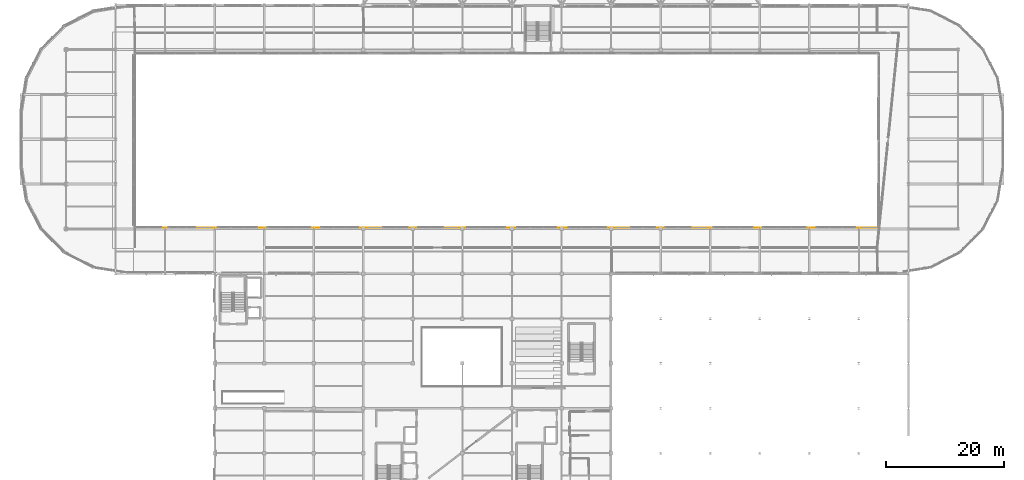
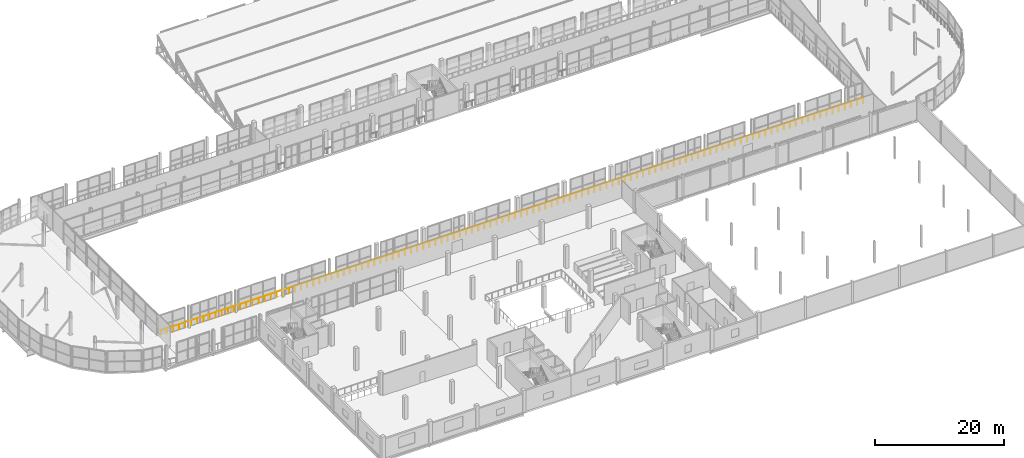
# One storey, part 211 of 217: 1 railing.
"""IFC4 building model written with IfcOpenShell, lengths in metres."""

from ifc_helpers import new_model, si_unit, direction, frame, origin, origin_2d, place, context, subcontext, project, spatial, circle, extrude, material, type_object, element, save


model = new_model("IFC4")

# Units and contexts
model_context = context("Model", 3, precision=1e-05, world=origin(), true_north=direction((0.0, 1.0)))
body_context = subcontext(model_context, "Body", "Model", "MODEL_VIEW")
ifc_project = project(units=[si_unit("LENGTHUNIT", "METRE"), si_unit("AREAUNIT", "SQUARE_METRE"), si_unit("VOLUMEUNIT", "CUBIC_METRE"), si_unit("PLANEANGLEUNIT", "RADIAN"), si_unit("MASSUNIT", "GRAM", prefix="KILO")], contexts=[model_context])

# Site, building, storey
site_placement = place(None, origin())
site = spatial("IfcSite", under=ifc_project, at=site_placement, CompositionType="ELEMENT")
building_placement = place(site_placement, origin())
building = spatial("IfcBuilding", under=site, at=building_placement, Name="Zuvorla Pavilion Media Centre", CompositionType="ELEMENT")
storey_placement = place(building_placement, frame((0.0, 0.0, 9.60009765625)))
storey = spatial("IfcBuildingStorey", under=building, at=storey_placement, Name="L02", CompositionType="ELEMENT", Elevation=9.60009765625)

# Railing
ifc_material = material(Name="Powder-coated steel balustrade guard", Category="steel")
railing_type = type_object("IfcRailingType", Name="RL-INT-GRD", PredefinedType="BALUSTRADE", material=ifc_material)
railing_placement = place(storey_placement, frame((28.278564453125, 51.780029296875, 0.0)))
element("IfcRailing", 1, at=railing_placement, inside=storey, type_object=railing_type, Name="L02 slab edge guard 83", PredefinedType="BALUSTRADE", context=body_context, shape_type="SweptSolid", body=[
    extrude(circle(Radius=0.02392578125, at=origin_2d()), frame((0.02880859375, 0.0, 1.09619140625), z_axis=(1.0, 0.0, 0.0), x_axis=(0.0, 1.0, 0.0)), (0.0, 0.0, 1.0), 125.72021484375),
    extrude(circle(Radius=0.02099609375, at=origin_2d()), origin(), (0.0, 0.0, 1.0), 1.070068359375),
    extrude(circle(Radius=0.02099609375, at=origin_2d()), frame((1.09375, 0.0, 0.0)), (0.0, 0.0, 1.0), 1.070068359375),
    extrude(circle(Radius=0.02099609375, at=origin_2d()), frame((2.1875, 0.0, 0.0)), (0.0, 0.0, 1.0), 1.070068359375),
    extrude(circle(Radius=0.02099609375, at=origin_2d()), frame((3.28125, 0.0, 0.0)), (0.0, 0.0, 1.0), 1.070068359375),
    extrude(circle(Radius=0.02099609375, at=origin_2d()), frame((4.375, 0.0, 0.0)), (0.0, 0.0, 1.0), 1.070068359375),
    extrude(circle(Radius=0.02099609375, at=origin_2d()), frame((5.468505859375, 0.0, 0.0)), (0.0, 0.0, 1.0), 1.070068359375),
    extrude(circle(Radius=0.02099609375, at=origin_2d()), frame((6.562255859375, 0.0, 0.0)), (0.0, 0.0, 1.0), 1.070068359375),
    extrude(circle(Radius=0.02099609375, at=origin_2d()), frame((7.656005859375, 0.0, 0.0)), (0.0, 0.0, 1.0), 1.070068359375),
    extrude(circle(Radius=0.02099609375, at=origin_2d()), frame((8.749755859375, 0.0, 0.0)), (0.0, 0.0, 1.0), 1.070068359375),
    extrude(circle(Radius=0.02099609375, at=origin_2d()), frame((9.843505859375, 0.0, 0.0)), (0.0, 0.0, 1.0), 1.070068359375),
    extrude(circle(Radius=0.02099609375, at=origin_2d()), frame((10.937255859375, 0.0, 0.0)), (0.0, 0.0, 1.0), 1.070068359375),
    extrude(circle(Radius=0.02099609375, at=origin_2d()), frame((12.031005859375, 0.0, 0.0)), (0.0, 0.0, 1.0), 1.070068359375),
    extrude(circle(Radius=0.02099609375, at=origin_2d()), frame((13.124755859375, 0.0, 0.0)), (0.0, 0.0, 1.0), 1.070068359375),
    extrude(circle(Radius=0.02099609375, at=origin_2d()), frame((14.21826171875, 0.0, 0.0)), (0.0, 0.0, 1.0), 1.070068359375),
    extrude(circle(Radius=0.02099609375, at=origin_2d()), frame((15.31201171875, 0.0, 0.0)), (0.0, 0.0, 1.0), 1.070068359375),
    extrude(circle(Radius=0.02099609375, at=origin_2d()), frame((16.40576171875, 0.0, 0.0)), (0.0, 0.0, 1.0), 1.070068359375),
    extrude(circle(Radius=0.02099609375, at=origin_2d()), frame((17.49951171875, 0.0, 0.0)), (0.0, 0.0, 1.0), 1.070068359375),
    extrude(circle(Radius=0.02099609375, at=origin_2d()), frame((18.59326171875, 0.0, 0.0)), (0.0, 0.0, 1.0), 1.070068359375),
    extrude(circle(Radius=0.02099609375, at=origin_2d()), frame((19.68701171875, 0.0, 0.0)), (0.0, 0.0, 1.0), 1.070068359375),
    extrude(circle(Radius=0.02099609375, at=origin_2d()), frame((20.78076171875, 0.0, 0.0)), (0.0, 0.0, 1.0), 1.070068359375),
    extrude(circle(Radius=0.02099609375, at=origin_2d()), frame((21.87451171875, 0.0, 0.0)), (0.0, 0.0, 1.0), 1.070068359375),
    extrude(circle(Radius=0.02099609375, at=origin_2d()), frame((22.968017578125, 0.0, 0.0)), (0.0, 0.0, 1.0), 1.070068359375),
    extrude(circle(Radius=0.02099609375, at=origin_2d()), frame((24.061767578125, 0.0, 0.0)), (0.0, 0.0, 1.0), 1.070068359375),
    extrude(circle(Radius=0.02099609375, at=origin_2d()), frame((25.155517578125, 0.0, 0.0)), (0.0, 0.0, 1.0), 1.070068359375),
    extrude(circle(Radius=0.02099609375, at=origin_2d()), frame((26.249267578125, 0.0, 0.0)), (0.0, 0.0, 1.0), 1.070068359375),
    extrude(circle(Radius=0.02099609375, at=origin_2d()), frame((27.343017578125, 0.0, 0.0)), (0.0, 0.0, 1.0), 1.070068359375),
    extrude(circle(Radius=0.02099609375, at=origin_2d()), frame((28.436767578125, 0.0, 0.0)), (0.0, 0.0, 1.0), 1.070068359375),
    extrude(circle(Radius=0.02099609375, at=origin_2d()), frame((29.530517578125, 0.0, 0.0)), (0.0, 0.0, 1.0), 1.070068359375),
    extrude(circle(Radius=0.02099609375, at=origin_2d()), frame((30.624267578125, 0.0, 0.0)), (0.0, 0.0, 1.0), 1.070068359375),
    extrude(circle(Radius=0.02099609375, at=origin_2d()), frame((31.7177734375, 0.0, 0.0)), (0.0, 0.0, 1.0), 1.070068359375),
    extrude(circle(Radius=0.02099609375, at=origin_2d()), frame((32.8115234375, 0.0, 0.0)), (0.0, 0.0, 1.0), 1.070068359375),
    extrude(circle(Radius=0.02099609375, at=origin_2d()), frame((33.9052734375, 0.0, 0.0)), (0.0, 0.0, 1.0), 1.070068359375),
    extrude(circle(Radius=0.02099609375, at=origin_2d()), frame((34.9990234375, 0.0, 0.0)), (0.0, 0.0, 1.0), 1.070068359375),
    extrude(circle(Radius=0.02099609375, at=origin_2d()), frame((36.0927734375, 0.0, 0.0)), (0.0, 0.0, 1.0), 1.070068359375),
    extrude(circle(Radius=0.02099609375, at=origin_2d()), frame((37.1865234375, 0.0, 0.0)), (0.0, 0.0, 1.0), 1.070068359375),
    extrude(circle(Radius=0.02099609375, at=origin_2d()), frame((38.2802734375, 0.0, 0.0)), (0.0, 0.0, 1.0), 1.070068359375),
    extrude(circle(Radius=0.02099609375, at=origin_2d()), frame((39.3740234375, 0.0, 0.0)), (0.0, 0.0, 1.0), 1.070068359375),
    extrude(circle(Radius=0.02099609375, at=origin_2d()), frame((40.467529296875, 0.0, 0.0)), (0.0, 0.0, 1.0), 1.070068359375),
    extrude(circle(Radius=0.02099609375, at=origin_2d()), frame((41.561279296875, 0.0, 0.0)), (0.0, 0.0, 1.0), 1.070068359375),
    extrude(circle(Radius=0.02099609375, at=origin_2d()), frame((42.655029296875, 0.0, 0.0)), (0.0, 0.0, 1.0), 1.070068359375),
    extrude(circle(Radius=0.02099609375, at=origin_2d()), frame((43.748779296875, 0.0, 0.0)), (0.0, 0.0, 1.0), 1.070068359375),
    extrude(circle(Radius=0.02099609375, at=origin_2d()), frame((44.842529296875, 0.0, 0.0)), (0.0, 0.0, 1.0), 1.070068359375),
    extrude(circle(Radius=0.02099609375, at=origin_2d()), frame((45.936279296875, 0.0, 0.0)), (0.0, 0.0, 1.0), 1.070068359375),
    extrude(circle(Radius=0.02099609375, at=origin_2d()), frame((47.030029296875, 0.0, 0.0)), (0.0, 0.0, 1.0), 1.070068359375),
    extrude(circle(Radius=0.02099609375, at=origin_2d()), frame((48.123779296875, 0.0, 0.0)), (0.0, 0.0, 1.0), 1.070068359375),
    extrude(circle(Radius=0.02099609375, at=origin_2d()), frame((49.217529296875, 0.0, 0.0)), (0.0, 0.0, 1.0), 1.070068359375),
    extrude(circle(Radius=0.02099609375, at=origin_2d()), frame((50.31103515625, 0.0, 0.0)), (0.0, 0.0, 1.0), 1.070068359375),
    extrude(circle(Radius=0.02099609375, at=origin_2d()), frame((51.40478515625, 0.0, 0.0)), (0.0, 0.0, 1.0), 1.070068359375),
    extrude(circle(Radius=0.02099609375, at=origin_2d()), frame((52.49853515625, 0.0, 0.0)), (0.0, 0.0, 1.0), 1.070068359375),
    extrude(circle(Radius=0.02099609375, at=origin_2d()), frame((53.59228515625, 0.0, 0.0)), (0.0, 0.0, 1.0), 1.070068359375),
    extrude(circle(Radius=0.02099609375, at=origin_2d()), frame((54.68603515625, 0.0, 0.0)), (0.0, 0.0, 1.0), 1.070068359375),
    extrude(circle(Radius=0.02099609375, at=origin_2d()), frame((55.77978515625, 0.0, 0.0)), (0.0, 0.0, 1.0), 1.070068359375),
    extrude(circle(Radius=0.02099609375, at=origin_2d()), frame((56.87353515625, 0.0, 0.0)), (0.0, 0.0, 1.0), 1.070068359375),
    extrude(circle(Radius=0.02099609375, at=origin_2d()), frame((57.96728515625, 0.0, 0.0)), (0.0, 0.0, 1.0), 1.070068359375),
    extrude(circle(Radius=0.02099609375, at=origin_2d()), frame((59.060791015625, 0.0, 0.0)), (0.0, 0.0, 1.0), 1.070068359375),
    extrude(circle(Radius=0.02099609375, at=origin_2d()), frame((60.154541015625, 0.0, 0.0)), (0.0, 0.0, 1.0), 1.070068359375),
    extrude(circle(Radius=0.02099609375, at=origin_2d()), frame((61.248291015625, 0.0, 0.0)), (0.0, 0.0, 1.0), 1.070068359375),
    extrude(circle(Radius=0.02099609375, at=origin_2d()), frame((62.342041015625, 0.0, 0.0)), (0.0, 0.0, 1.0), 1.070068359375),
    extrude(circle(Radius=0.02099609375, at=origin_2d()), frame((63.435791015625, 0.0, 0.0)), (0.0, 0.0, 1.0), 1.070068359375),
    extrude(circle(Radius=0.02099609375, at=origin_2d()), frame((64.529541015625, 0.0, 0.0)), (0.0, 0.0, 1.0), 1.070068359375),
    extrude(circle(Radius=0.02099609375, at=origin_2d()), frame((65.623291015625, 0.0, 0.0)), (0.0, 0.0, 1.0), 1.070068359375),
    extrude(circle(Radius=0.02099609375, at=origin_2d()), frame((66.717041015625, 0.0, 0.0)), (0.0, 0.0, 1.0), 1.070068359375),
    extrude(circle(Radius=0.02099609375, at=origin_2d()), frame((67.810546875, 0.0, 0.0)), (0.0, 0.0, 1.0), 1.070068359375),
    extrude(circle(Radius=0.02099609375, at=origin_2d()), frame((68.904296875, 0.0, 0.0)), (0.0, 0.0, 1.0), 1.070068359375),
    extrude(circle(Radius=0.02099609375, at=origin_2d()), frame((69.998046875, 0.0, 0.0)), (0.0, 0.0, 1.0), 1.070068359375),
    extrude(circle(Radius=0.02099609375, at=origin_2d()), frame((71.091796875, 0.0, 0.0)), (0.0, 0.0, 1.0), 1.070068359375),
    extrude(circle(Radius=0.02099609375, at=origin_2d()), frame((72.185546875, 0.0, 0.0)), (0.0, 0.0, 1.0), 1.070068359375),
    extrude(circle(Radius=0.02099609375, at=origin_2d()), frame((73.279296875, 0.0, 0.0)), (0.0, 0.0, 1.0), 1.070068359375),
    extrude(circle(Radius=0.02099609375, at=origin_2d()), frame((74.373046875, 0.0, 0.0)), (0.0, 0.0, 1.0), 1.070068359375),
    extrude(circle(Radius=0.02099609375, at=origin_2d()), frame((75.466796875, 0.0, 0.0)), (0.0, 0.0, 1.0), 1.070068359375),
    extrude(circle(Radius=0.02099609375, at=origin_2d()), frame((76.560302734375, 0.0, 0.0)), (0.0, 0.0, 1.0), 1.070068359375),
    extrude(circle(Radius=0.02099609375, at=origin_2d()), frame((77.654052734375, 0.0, 0.0)), (0.0, 0.0, 1.0), 1.070068359375),
    extrude(circle(Radius=0.02099609375, at=origin_2d()), frame((78.747802734375, 0.0, 0.0)), (0.0, 0.0, 1.0), 1.070068359375),
    extrude(circle(Radius=0.02099609375, at=origin_2d()), frame((79.841552734375, 0.0, 0.0)), (0.0, 0.0, 1.0), 1.070068359375),
    extrude(circle(Radius=0.02099609375, at=origin_2d()), frame((80.935302734375, 0.0, 0.0)), (0.0, 0.0, 1.0), 1.070068359375),
    extrude(circle(Radius=0.02099609375, at=origin_2d()), frame((82.029052734375, 0.0, 0.0)), (0.0, 0.0, 1.0), 1.070068359375),
    extrude(circle(Radius=0.02099609375, at=origin_2d()), frame((83.122802734375, 0.0, 0.0)), (0.0, 0.0, 1.0), 1.070068359375),
    extrude(circle(Radius=0.02099609375, at=origin_2d()), frame((84.216552734375, 0.0, 0.0)), (0.0, 0.0, 1.0), 1.070068359375),
    extrude(circle(Radius=0.02099609375, at=origin_2d()), frame((85.310302734375, 0.0, 0.0)), (0.0, 0.0, 1.0), 1.070068359375),
    extrude(circle(Radius=0.02099609375, at=origin_2d()), frame((86.40380859375, 0.0, 0.0)), (0.0, 0.0, 1.0), 1.070068359375),
    extrude(circle(Radius=0.02099609375, at=origin_2d()), frame((87.49755859375, 0.0, 0.0)), (0.0, 0.0, 1.0), 1.070068359375),
    extrude(circle(Radius=0.02099609375, at=origin_2d()), frame((88.59130859375, 0.0, 0.0)), (0.0, 0.0, 1.0), 1.070068359375),
    extrude(circle(Radius=0.02099609375, at=origin_2d()), frame((89.68505859375, 0.0, 0.0)), (0.0, 0.0, 1.0), 1.070068359375),
    extrude(circle(Radius=0.02099609375, at=origin_2d()), frame((90.77880859375, 0.0, 0.0)), (0.0, 0.0, 1.0), 1.070068359375),
    extrude(circle(Radius=0.02099609375, at=origin_2d()), frame((91.87255859375, 0.0, 0.0)), (0.0, 0.0, 1.0), 1.070068359375),
    extrude(circle(Radius=0.02099609375, at=origin_2d()), frame((92.96630859375, 0.0, 0.0)), (0.0, 0.0, 1.0), 1.070068359375),
    extrude(circle(Radius=0.02099609375, at=origin_2d()), frame((94.06005859375, 0.0, 0.0)), (0.0, 0.0, 1.0), 1.070068359375),
    extrude(circle(Radius=0.02099609375, at=origin_2d()), frame((95.153564453125, 0.0, 0.0)), (0.0, 0.0, 1.0), 1.070068359375),
    extrude(circle(Radius=0.02099609375, at=origin_2d()), frame((96.247314453125, 0.0, 0.0)), (0.0, 0.0, 1.0), 1.070068359375),
    extrude(circle(Radius=0.02099609375, at=origin_2d()), frame((97.341064453125, 0.0, 0.0)), (0.0, 0.0, 1.0), 1.070068359375),
    extrude(circle(Radius=0.02099609375, at=origin_2d()), frame((98.434814453125, 0.0, 0.0)), (0.0, 0.0, 1.0), 1.070068359375),
    extrude(circle(Radius=0.02099609375, at=origin_2d()), frame((99.528564453125, 0.0, 0.0)), (0.0, 0.0, 1.0), 1.070068359375),
    extrude(circle(Radius=0.02099609375, at=origin_2d()), frame((100.622314453125, 0.0, 0.0)), (0.0, 0.0, 1.0), 1.070068359375),
    extrude(circle(Radius=0.02099609375, at=origin_2d()), frame((101.716064453125, 0.0, 0.0)), (0.0, 0.0, 1.0), 1.070068359375),
    extrude(circle(Radius=0.02099609375, at=origin_2d()), frame((102.809814453125, 0.0, 0.0)), (0.0, 0.0, 1.0), 1.070068359375),
    extrude(circle(Radius=0.02099609375, at=origin_2d()), frame((103.9033203125, 0.0, 0.0)), (0.0, 0.0, 1.0), 1.070068359375),
    extrude(circle(Radius=0.02099609375, at=origin_2d()), frame((104.9970703125, 0.0, 0.0)), (0.0, 0.0, 1.0), 1.070068359375),
    extrude(circle(Radius=0.02099609375, at=origin_2d()), frame((106.0908203125, 0.0, 0.0)), (0.0, 0.0, 1.0), 1.070068359375),
    extrude(circle(Radius=0.02099609375, at=origin_2d()), frame((107.1845703125, 0.0, 0.0)), (0.0, 0.0, 1.0), 1.070068359375),
    extrude(circle(Radius=0.02099609375, at=origin_2d()), frame((108.2783203125, 0.0, 0.0)), (0.0, 0.0, 1.0), 1.070068359375),
    extrude(circle(Radius=0.02099609375, at=origin_2d()), frame((109.3720703125, 0.0, 0.0)), (0.0, 0.0, 1.0), 1.070068359375),
    extrude(circle(Radius=0.02099609375, at=origin_2d()), frame((110.4658203125, 0.0, 0.0)), (0.0, 0.0, 1.0), 1.070068359375),
    extrude(circle(Radius=0.02099609375, at=origin_2d()), frame((111.5595703125, 0.0, 0.0)), (0.0, 0.0, 1.0), 1.070068359375),
    extrude(circle(Radius=0.02099609375, at=origin_2d()), frame((112.653076171875, 0.0, 0.0)), (0.0, 0.0, 1.0), 1.070068359375),
    extrude(circle(Radius=0.02099609375, at=origin_2d()), frame((113.746826171875, 0.0, 0.0)), (0.0, 0.0, 1.0), 1.070068359375),
    extrude(circle(Radius=0.02099609375, at=origin_2d()), frame((114.840576171875, 0.0, 0.0)), (0.0, 0.0, 1.0), 1.070068359375),
    extrude(circle(Radius=0.02099609375, at=origin_2d()), frame((115.934326171875, 0.0, 0.0)), (0.0, 0.0, 1.0), 1.070068359375),
    extrude(circle(Radius=0.02099609375, at=origin_2d()), frame((117.028076171875, 0.0, 0.0)), (0.0, 0.0, 1.0), 1.070068359375),
    extrude(circle(Radius=0.02099609375, at=origin_2d()), frame((118.121826171875, 0.0, 0.0)), (0.0, 0.0, 1.0), 1.070068359375),
    extrude(circle(Radius=0.02099609375, at=origin_2d()), frame((119.215576171875, 0.0, 0.0)), (0.0, 0.0, 1.0), 1.070068359375),
    extrude(circle(Radius=0.02099609375, at=origin_2d()), frame((120.309326171875, 0.0, 0.0)), (0.0, 0.0, 1.0), 1.070068359375),
    extrude(circle(Radius=0.02099609375, at=origin_2d()), frame((121.40283203125, 0.0, 0.0)), (0.0, 0.0, 1.0), 1.070068359375),
    extrude(circle(Radius=0.02099609375, at=origin_2d()), frame((122.49658203125, 0.0, 0.0)), (0.0, 0.0, 1.0), 1.070068359375),
    extrude(circle(Radius=0.02099609375, at=origin_2d()), frame((123.59033203125, 0.0, 0.0)), (0.0, 0.0, 1.0), 1.070068359375),
    extrude(circle(Radius=0.02099609375, at=origin_2d()), frame((124.68408203125, 0.0, 0.0)), (0.0, 0.0, 1.0), 1.070068359375),
    extrude(circle(Radius=0.02099609375, at=origin_2d()), frame((125.77783203125, 0.0, 0.0)), (0.0, 0.0, 1.0), 1.070068359375),
])

save(model, "model.ifc")
